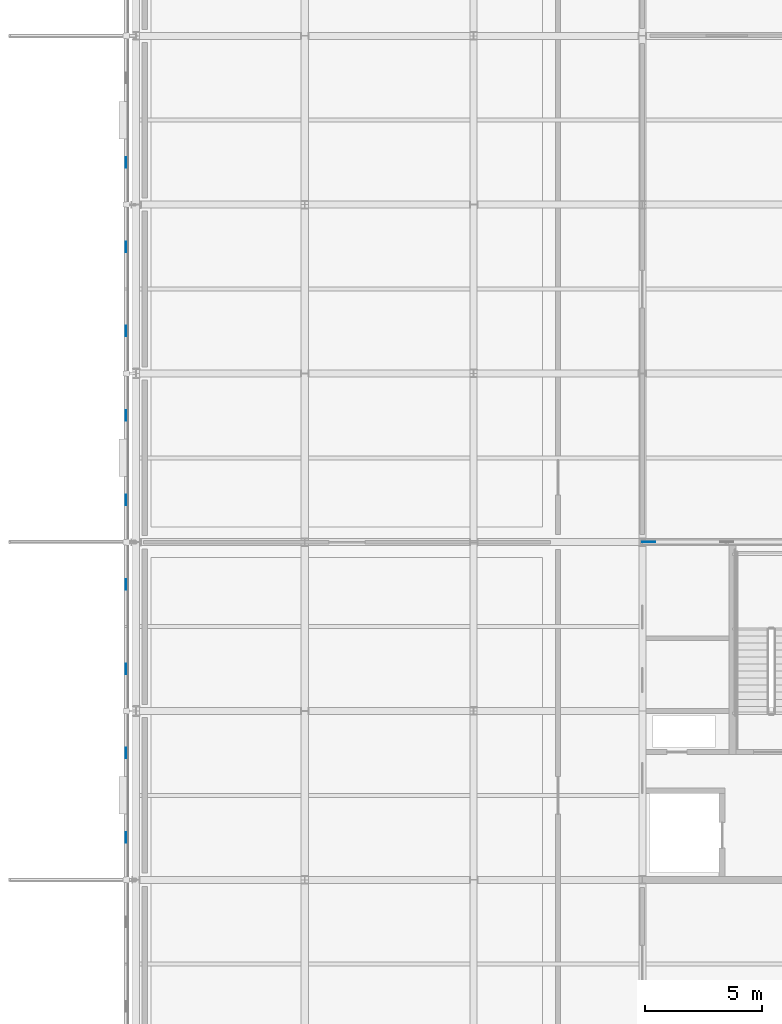
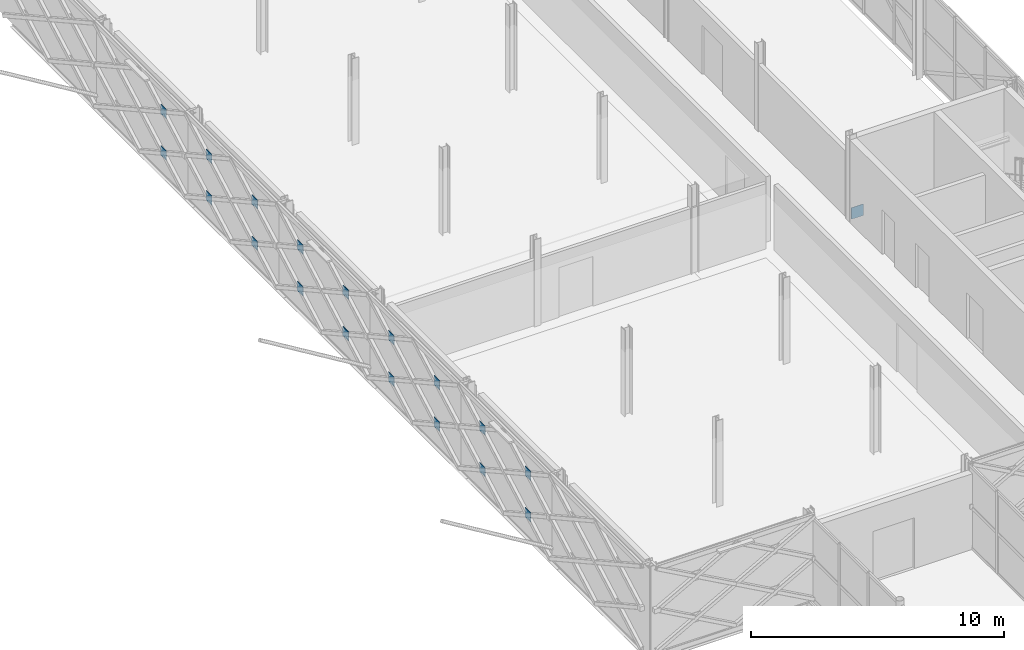
# One storey, part 105 of 146: 19 plates.
"""IFC4 building model written with IfcOpenShell, lengths in metres."""

from ifc_helpers import new_model, si_unit, direction, frame, origin, origin_2d, place, context, subcontext, project, spatial, rectangle, extrude, material, layer, layer_set, type_object, element, save


model = new_model("IFC4")

# Units and contexts
model_context = context("Model", 3, precision=1e-05, world=origin(), true_north=direction((0.0, 1.0)))
body_context = subcontext(model_context, "Body", "Model", "MODEL_VIEW")
ifc_project = project(units=[si_unit("LENGTHUNIT", "METRE"), si_unit("AREAUNIT", "SQUARE_METRE"), si_unit("VOLUMEUNIT", "CUBIC_METRE"), si_unit("PLANEANGLEUNIT", "RADIAN"), si_unit("MASSUNIT", "GRAM", prefix="KILO")], contexts=[model_context])

# Site, building, storey
site_placement = place(None, origin())
site = spatial("IfcSite", under=ifc_project, at=site_placement, CompositionType="ELEMENT")
building_placement = place(site_placement, origin())
building = spatial("IfcBuilding", under=site, at=building_placement, Name="Zlatovets Crest Museum", CompositionType="ELEMENT")
storey_placement = place(building_placement, frame((0.0, 0.0, 4.5)))
storey = spatial("IfcBuildingStorey", under=building, at=storey_placement, Name="L01", CompositionType="ELEMENT", Elevation=4.5)

# Plates
ifc_material = material(Name="Structural steel S355J2", Category="steel")
ifc_layer_1 = layer(ifc_material, 0.02490234375)
ifc_layer_set_1 = layer_set([ifc_layer_1], Name="Structural steel S355J2")
plate_type_1 = type_object("IfcPlateType", Name="Gusset_GP-01", PredefinedType="USERDEFINED", material=ifc_layer_set_1)
plate_placement = place(storey_placement, frame((29.080078125, 72.0, 0.0048828125), z_axis=(0.0, 0.0, 1.0), x_axis=(1.0, 0.0, 0.0)))
element("IfcPlate", 1, at=plate_placement, inside=storey, type_object=plate_type_1, Name="V4 L01 Brace End Gusset Plate GP-01", ObjectType="GUSSET", PredefinedType="USERDEFINED", context=body_context, shape_type="SweptSolid", body=[
    extrude(rectangle(XDim=0.550048828125, YDim=0.02490234375, at=origin_2d()), origin(), (0.0, 0.0, 1.0), 0.550048828125),
])
ifc_layer_2 = layer(ifc_material, 0.02001953125)
ifc_layer_set_2 = layer_set([ifc_layer_2], Name="Structural steel S355J2")
plate_type_2 = type_object("IfcPlateType", Name="Gusset_GP-04", PredefinedType="USERDEFINED", material=ifc_layer_set_2)
for number, where, z_axis, x_axis, name in (
    (2, (6.780029296875, 88.199951171875, 0.875), (0.0, 0.0, 1.0), (1.0, 0.0, 0.0), "X-Brace Crossing Node Gusset Plate GP-04"),
    (3, (6.780029296875, 88.199951171875, 2.875), (0.0, 0.0, 1.0), (1.0, 0.0, 0.0), "X-Brace Crossing Node Gusset Plate GP-04"),
    (4, (6.780029296875, 84.60009765625, 0.875), (0.0, 0.0, 1.0), (1.0, 0.0, 0.0), "X-Brace Crossing Node Gusset Plate GP-04"),
    (5, (6.780029296875, 81.0, 0.875), (0.0, 0.0, 1.0), (1.0, 0.0, 0.0), "X-Brace Crossing Node Gusset Plate GP-04"),
    (6, (6.780029296875, 84.60009765625, 2.875), (0.0, 0.0, 1.0), (1.0, 0.0, 0.0), "X-Brace Crossing Node Gusset Plate GP-04"),
    (7, (6.780029296875, 81.0, 2.875), (0.0, 0.0, 1.0), (1.0, 0.0, 0.0), "X-Brace Crossing Node Gusset Plate GP-04"),
    (8, (6.780029296875, 77.39990234375, 0.875), (0.0, 0.0, 1.0), (1.0, 0.0, 0.0), "X-Brace Crossing Node Gusset Plate GP-04"),
    (9, (6.780029296875, 73.800048828125, 0.875), (0.0, 0.0, 1.0), (1.0, 0.0, 0.0), "X-Brace Crossing Node Gusset Plate GP-04"),
    (10, (6.780029296875, 77.39990234375, 2.875), (0.0, 0.0, 1.0), (1.0, 0.0, 0.0), "X-Brace Crossing Node Gusset Plate GP-04"),
    (11, (6.780029296875, 73.800048828125, 2.875), (0.0, 0.0, 1.0), (1.0, 0.0, 0.0), "X-Brace Crossing Node Gusset Plate GP-04"),
    (12, (6.780029296875, 70.199951171875, 0.875), (0.0, 0.0, 1.0), (1.0, 0.0, 0.0), "X-Brace Crossing Node Gusset Plate GP-04"),
    (13, (6.780029296875, 66.60009765625, 0.875), (0.0, 0.0, 1.0), (1.0, 0.0, 0.0), "X-Brace Crossing Node Gusset Plate GP-04"),
    (14, (6.780029296875, 70.199951171875, 2.875), (0.0, 0.0, 1.0), (1.0, 0.0, 0.0), "X-Brace Crossing Node Gusset Plate GP-04"),
    (15, (6.780029296875, 66.60009765625, 2.875), (0.0, 0.0, 1.0), (1.0, 0.0, 0.0), "X-Brace Crossing Node Gusset Plate GP-04"),
    (16, (6.780029296875, 63.0, 0.875), (0.0, 0.0, 1.0), (1.0, 0.0, 0.0), "X-Brace Crossing Node Gusset Plate GP-04"),
    (17, (6.780029296875, 59.39990234375, 0.875), (0.0, 0.0, 1.0), (1.0, 0.0, 0.0), "X-Brace Crossing Node Gusset Plate GP-04"),
    (18, (6.780029296875, 63.0, 2.875), (0.0, 0.0, 1.0), (1.0, 0.0, 0.0), "X-Brace Crossing Node Gusset Plate GP-04"),
    (19, (6.780029296875, 59.39990234375, 2.875), (0.0, 0.0, 1.0), (1.0, 0.0, 0.0), "X-Brace Crossing Node Gusset Plate GP-04"),
):
    element("IfcPlate", number, at=place(storey_placement, frame(where, z_axis=z_axis, x_axis=x_axis)), inside=storey, type_object=plate_type_2, Name=name, ObjectType="GUSSET", PredefinedType="USERDEFINED", context=body_context, shape_type="SweptSolid", body=[
        extrude(rectangle(XDim=0.02001953125, YDim=0.449951171875, at=origin_2d()), origin(), (0.0, 0.0, 1.0), 0.449951171875),
    ])

save(model, "model.ifc")
